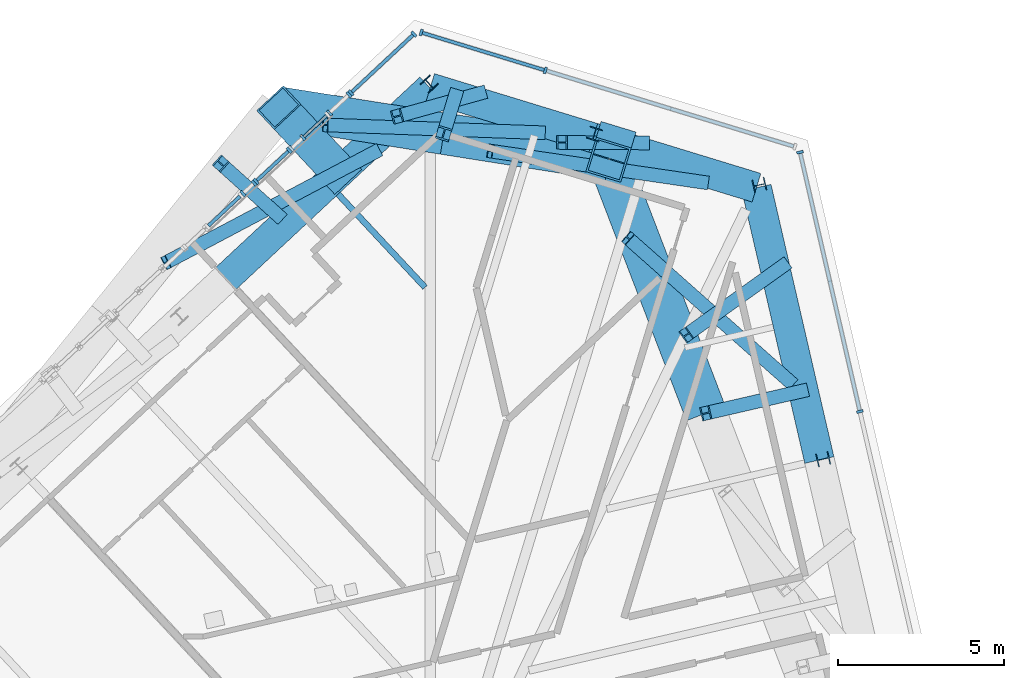
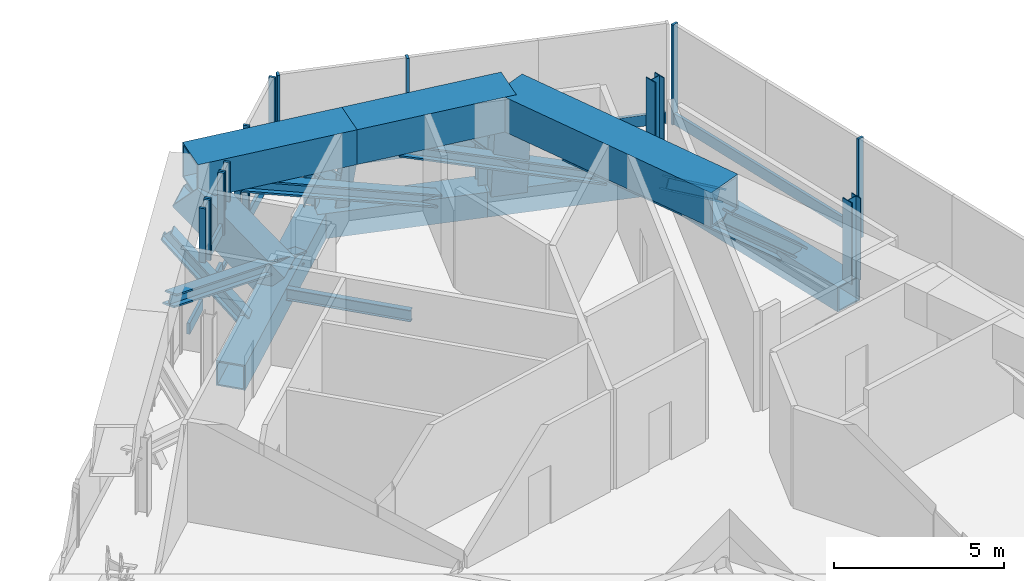
# One storey, part 9 of 31: 45 members, 1 beam, 10 elements without a shape of their own.
"""IFC4 building model written with IfcOpenShell, lengths in metres."""

from ifc_helpers import new_model, si_unit, direction, frame, origin, origin_2d, place, context, subcontext, project, spatial, rectangle, hollow_rectangle, i_section, extrude, source, transform, mapped, material, material_profile, profile_set, type_object, element, aggregate, save


model = new_model("IFC4")

# Units and contexts
model_context = context("Model", 3, precision=1e-05, world=origin(), true_north=direction((0.0, 1.0)))
body_context = subcontext(model_context, "Body", "Model", "MODEL_VIEW")
ifc_project = project(units=[si_unit("LENGTHUNIT", "METRE"), si_unit("AREAUNIT", "SQUARE_METRE"), si_unit("VOLUMEUNIT", "CUBIC_METRE"), si_unit("PLANEANGLEUNIT", "RADIAN"), si_unit("MASSUNIT", "GRAM", prefix="KILO")], contexts=[model_context])

# Site, building, storey
site_placement = place(None, origin())
site = spatial("IfcSite", under=ifc_project, at=site_placement, CompositionType="ELEMENT")
building_placement = place(site_placement, origin())
building = spatial("IfcBuilding", under=site, at=building_placement, Name="Triune Harvest Tower", CompositionType="ELEMENT")
storey_placement = place(building_placement, frame((0.0, 0.0, 134.300048828125)))
storey = spatial("IfcBuildingStorey", under=building, at=storey_placement, Name="L34", CompositionType="ELEMENT", Elevation=134.300048828125)

# Member
ifc_material_1 = material(Name="Steel ASTM A572 Gr 50", Category="steel")
ifc_material_profile_1 = material_profile(ifc_material_1, hollow_rectangle(XDim=1.25, YDim=1.25, WallThickness=0.070068359375, at=origin_2d()), Name="Box 1250x1250x70")
ifc_profile_set_1 = profile_set([ifc_material_profile_1], Name="Steel ASTM A572 Gr 50")
member_type_1 = type_object("IfcMemberType", Name="TC-1 Belt truss chord Box 1250x1250x70", PredefinedType="CHORD", material=ifc_profile_set_1)
member_1_placement = place(storey_placement, frame((4.8837890625, 30.8359375, 2.974853515625), z_axis=(-0.987693136522, 0.156404181743, 0.0), x_axis=(-0.156404181743, -0.987693136522, 0.0)))
element("IfcMember", 1, at=member_1_placement, inside=storey, type_object=member_type_1, Name="truss/L34/TCT8", PredefinedType="CHORD", context=body_context, shape_type="SweptSolid", body=[
    extrude(hollow_rectangle(XDim=1.25, YDim=1.25, WallThickness=0.070068359375, at=origin_2d()), origin(), (0.0, 0.0, 1.0), 5.024658203125),
])

# Curtain wall, member
ifc_material_2 = material(Name="Aluminium bronze anodised", Category="aluminium")
curtain_wall_type_1 = type_object("IfcCurtainWallType", Name="CW-5 Plant louvre wall", PredefinedType="NOTDEFINED", material=ifc_material_2)
curtain_wall_1_placement = place(storey_placement, origin())
curtain_wall_1 = element("IfcCurtainWall", 2, at=curtain_wall_1_placement, inside=storey, type_object=curtain_wall_type_1, Name="CW-5 B3-F3 L34 run 1")
ifc_material_3 = material(Name="Aluminium bronze anodised", Category="aluminium")
ifc_material_profile_2 = material_profile(ifc_material_3, rectangle(XDim=0.10009765625, YDim=0.39990234375, at=origin_2d()), Name="TR-5 transom 100 x 400")
ifc_profile_set_2 = profile_set([ifc_material_profile_2], Name="Aluminium bronze anodised")
member_type_2 = type_object("IfcMemberType", Name="TR-5 transom 100 x 400", PredefinedType="USERDEFINED", material=ifc_profile_set_2)
member_2_placement = place(storey_placement, frame((3.958251953125, 33.805419921875, 0.199951171875), z_axis=(-0.731372056439, -0.681978676397, 0.0), x_axis=(0.681978676397, -0.731372056439, 0.0)))
member_2 = element("IfcMember", 3, at=member_2_placement, type_object=member_type_2, Name="CW-5 transom B3-F3 1.1", ObjectType="TRANSOM", PredefinedType="USERDEFINED", context=body_context, shape_type="SweptSolid", body=[
    extrude(rectangle(XDim=0.10009765625, YDim=0.39990234375, at=origin_2d()), origin(), (0.0, 0.0, 1.0), 2.510986328125),
])

curtain_wall_2_placement = place(storey_placement, origin())
curtain_wall_2 = element("IfcCurtainWall", 4, at=curtain_wall_2_placement, inside=storey, type_object=curtain_wall_type_1, Name="CW-5 B3-F3 L34 run 701")
member_3_placement = place(storey_placement, frame((-1.24755859375, 28.950927734375, 0.199951171875), z_axis=(-0.731373725312, -0.681976886648, 0.0), x_axis=(0.681976886648, -0.731373725312, 0.0)))
member_3 = element("IfcMember", 5, at=member_3_placement, type_object=member_type_2, Name="CW-5 transom B3-F3 701.1", ObjectType="TRANSOM", PredefinedType="USERDEFINED", context=body_context, shape_type="SweptSolid", body=[
    extrude(rectangle(XDim=0.10009765625, YDim=0.39990234375, at=origin_2d()), origin(), (0.0, 0.0, 1.0), 1.2998046875),
])
aggregate(curtain_wall_2, [member_3])

ifc_material_4 = material(Name="Aluminium bronze anodised", Category="aluminium")
curtain_wall_type_2 = type_object("IfcCurtainWallType", Name="CW-6 Balcony window wall", PredefinedType="NOTDEFINED", material=ifc_material_4)
curtain_wall_3_placement = place(storey_placement, origin())
curtain_wall_3 = element("IfcCurtainWall", 6, at=curtain_wall_3_placement, inside=storey, type_object=curtain_wall_type_2, Name="CW-6 B3-F3 L34 run 1701")
ifc_material_5 = material(Name="Aluminium bronze anodised", Category="aluminium")
ifc_material_profile_3 = material_profile(ifc_material_5, rectangle(XDim=0.090087890625, YDim=0.14990234375, at=origin_2d()), Name="TR-6 transom 90 x 150")
ifc_profile_set_3 = profile_set([ifc_material_profile_3], Name="Aluminium bronze anodised")
member_type_3 = type_object("IfcMemberType", Name="TR-6 transom 90 x 150", PredefinedType="USERDEFINED", material=ifc_profile_set_3)
member_4_placement = place(storey_placement, frame((1.358642578125, 31.38134765625, 0.074951171875), z_axis=(-0.73130634169, -0.682049143834, 0.0), x_axis=(0.682049143834, -0.73130634169, 0.0)))
member_4 = element("IfcMember", 7, at=member_4_placement, type_object=member_type_3, Name="CW-6 transom B3-F3 1701.1", ObjectType="TRANSOM", PredefinedType="USERDEFINED", context=body_context, shape_type="SweptSolid", body=[
    extrude(rectangle(XDim=0.090087890625, YDim=0.14990234375, at=origin_2d()), origin(), (0.0, 0.0, 1.0), 1.422607421875),
])
aggregate(curtain_wall_3, [member_4])

# Members
ifc_material_6 = material(Name="Steel ASTM A992 Gr 50", Category="steel")
ifc_material_profile_4 = material_profile(ifc_material_6, i_section(OverallWidth=0.411376953125, OverallDepth=0.434326171875, WebThickness=0.035888671875, FlangeThickness=0.057373046875, at=origin_2d()), Name="W14x311")
ifc_profile_set_4 = profile_set([ifc_material_profile_4], Name="Steel ASTM A992 Gr 50")
member_type_4 = type_object("IfcMemberType", Name="TV-1 Belt truss strut W14x311", PredefinedType="STRUT", material=ifc_profile_set_4)
member_5_placement = place(storey_placement, frame((15.712890625, 23.095703125, -0.275146484375), z_axis=(-0.730475997052, -0.168664824463, 0.661783193138), x_axis=(0.224977841129, -0.974363880181, 0.0)))
element("IfcMember", 8, at=member_5_placement, inside=storey, type_object=member_type_4, Name="truss/L34/TS6", PredefinedType="STRUT", context=body_context, shape_type="SweptSolid", body=[
    extrude(i_section(OverallWidth=0.411376953125, OverallDepth=0.434326171875, WebThickness=0.035888671875, FlangeThickness=0.057373046875, at=origin_2d()), origin(), (0.0, 0.0, 1.0), 4.019775390625),
])
member_6_placement = place(storey_placement, frame((5.234130859375, 31.981201171875, -0.275146484375), z_axis=(-0.120089980059, -0.392572889518, 0.91184698448), x_axis=(0.956258157138, -0.292524079193, 0.0)))
element("IfcMember", 9, at=member_6_placement, inside=storey, type_object=member_type_4, Name="truss/L34/TS8", PredefinedType="STRUT", context=body_context, shape_type="SweptSolid", body=[
    extrude(i_section(OverallWidth=0.411376953125, OverallDepth=0.434326171875, WebThickness=0.035888671875, FlangeThickness=0.057373046875, at=origin_2d()), origin(), (0.0, 0.0, 1.0), 2.917236328125),
])

# Beam
ifc_material_7 = material(Name="Steel ASTM A992 Gr 50", Category="steel")
ifc_material_profile_5 = material_profile(ifc_material_7, i_section(OverallWidth=0.180908203125, OverallDepth=0.41650390625, WebThickness=0.010986328125, FlangeThickness=0.01806640625, at=origin_2d()), Name="W16x57")
ifc_profile_set_5 = profile_set([ifc_material_profile_5], Name="Steel ASTM A992 Gr 50")
beam_type = type_object("IfcBeamType", Name="JT-1 Floor joist W16x57", PredefinedType="JOIST", material=ifc_profile_set_5)
shared_shape_1 = source(origin(), body_context, "Body", "SweptSolid", [
    extrude(i_section(OverallWidth=0.180908203125, OverallDepth=0.41650390625, WebThickness=0.010986328125, FlangeThickness=0.01806640625, at=origin_2d()), origin(), (0.0, 0.0, 1.0), 3.83642578125),
])
beam_placement = place(storey_placement, frame((1.70703125, 29.014404296875, -0.458251953125), z_axis=(0.681984885049, -0.73136626704, 0.0), x_axis=(0.73136626704, 0.681984885049, 0.0)))
element("IfcBeam", 10, at=beam_placement, inside=storey, type_object=beam_type, Name="beam/L34/JT14", PredefinedType="JOIST", context=body_context, shape_type="MappedRepresentation", body=[
    mapped(shared_shape_1, transform((0.0, 0.0, 0.0), scale=1.0)),
])

# Members
ifc_material_8 = material(Name="Steel ASTM A992 Gr 50", Category="steel")
ifc_material_profile_6 = material_profile(ifc_material_8, i_section(OverallWidth=0.396240234375, OverallDepth=0.381103515625, WebThickness=0.01904296875, FlangeThickness=0.0302734375, at=origin_2d()), Name="W14x159")
ifc_profile_set_6 = profile_set([ifc_material_profile_6], Name="Steel ASTM A992 Gr 50")
member_type_5 = type_object("IfcMemberType", Name="WP-3 Roof edge post W14x159", PredefinedType="POST", material=ifc_profile_set_6)
shared_shape_2 = source(origin(), body_context, "Body", "SweptSolid", [
    extrude(i_section(OverallWidth=0.396240234375, OverallDepth=0.381103515625, WebThickness=0.01904296875, FlangeThickness=0.0302734375, at=origin_2d()), origin(), (0.0, 0.0, 1.0), 2.935546875),
])
for number, where, z_axis, x_axis, name in (
    (11, (16.311279296875, 21.037353515625, -0.25), (0.0, 0.0, 1.0), (-0.22495275494, 0.97436967217, 0.0), "post/L34/W5"),
    (12, (14.389404296875, 29.291015625, -0.25), (0.0, 0.0, 1.0), (-0.22495275494, 0.97436967217, 0.0), "post/L34/W6"),
    (13, (9.42431640625, 30.82568359375, -0.25), (0.0, 0.0, 1.0), (-0.956304755963, 0.292371704723, 0.0), "post/L34/W7"),
    (14, (4.4501953125, 32.32958984375, -0.25), (0.0, 0.0, 1.0), (-0.73135489193, -0.681997083608, 0.0), "post/L34/W8"),
):
    element("IfcMember", number, at=place(storey_placement, frame(where, z_axis=z_axis, x_axis=x_axis)), inside=storey, type_object=member_type_5, Name=name, PredefinedType="POST", context=body_context, shape_type="MappedRepresentation", body=[
        mapped(shared_shape_2, transform((0.0, 0.0, 0.0), scale=1.0)),
    ])
ifc_material_9 = material(Name="Steel ASTM A572 Gr 50", Category="steel")
ifc_material_profile_7 = material_profile(ifc_material_9, hollow_rectangle(XDim=0.89990234375, YDim=0.89990234375, WallThickness=0.050048828125, at=origin_2d()), Name="Box 900x900x50")
ifc_profile_set_7 = profile_set([ifc_material_profile_7], Name="Steel ASTM A572 Gr 50")
member_type_6 = type_object("IfcMemberType", Name="TC-2 Belt truss chord Box 900x900x50", PredefinedType="CHORD", material=ifc_profile_set_7)
shared_shape_3 = source(origin(), body_context, "Body", "SweptSolid", [
    extrude(hollow_rectangle(XDim=0.89990234375, YDim=0.89990234375, WallThickness=0.050048828125, at=origin_2d()), origin(), (0.0, 0.0, 1.0), 8.414306640625),
])
for number, where, z_axis, x_axis, name in (
    (15, (16.1943359375, 21.01025390625, -0.699951171875), (-0.224950624774, 0.974370163959, 0.0), (-0.974370163959, -0.224950624774, 0.0), "truss/L34/TCB6"),
    (16, (4.47705078125, 32.212646484375, -0.699951171875), (-0.731353343594, -0.681998743997, 0.0), (0.681998743997, -0.731353343594, 0.0), "truss/L34/TCB9"),
):
    element("IfcMember", number, at=place(storey_placement, frame(where, z_axis=z_axis, x_axis=x_axis)), inside=storey, type_object=member_type_6, Name=name, PredefinedType="CHORD", context=body_context, shape_type="MappedRepresentation", body=[
        mapped(shared_shape_3, transform((0.0, 0.0, 0.0), scale=1.0)),
    ])
shared_shape_4 = source(origin(), body_context, "Body", "SweptSolid", [
    extrude(hollow_rectangle(XDim=0.89990234375, YDim=0.89990234375, WallThickness=0.050048828125, at=origin_2d()), origin(), (0.0, 0.0, 1.0), 5.13671875),
])
for number, where, z_axis, x_axis, name in (
    (17, (14.301513671875, 29.208984375, -0.699951171875), (-0.956295470528, 0.292402074289, 0.0), (-0.292402074289, -0.956295470528, 0.0), "truss/L34/TCB7"),
    (18, (9.389404296875, 30.7109375, -0.699951171875), (-0.956312822385, 0.292345319343, 0.0), (-0.292345319343, -0.956312822385, 0.0), "truss/L34/TCB8"),
):
    element("IfcMember", number, at=place(storey_placement, frame(where, z_axis=z_axis, x_axis=x_axis)), inside=storey, type_object=member_type_6, Name=name, PredefinedType="CHORD", context=body_context, shape_type="MappedRepresentation", body=[
        mapped(shared_shape_4, transform((0.0, 0.0, 0.0), scale=1.0)),
    ])
shared_shape_5 = source(origin(), body_context, "Body", "SweptSolid", [
    extrude(hollow_rectangle(XDim=1.25, YDim=1.25, WallThickness=0.070068359375, at=origin_2d()), origin(), (0.0, 0.0, 1.0), 8.175048828125),
])
member_7_placement = place(storey_placement, frame((12.776611328125, 22.417724609375, 2.974853515625), z_axis=(-0.358368636722, 0.933580162714, 0.0), x_axis=(-0.933580162714, -0.358368636722, 0.0)))
element("IfcMember", 19, at=member_7_placement, inside=storey, type_object=member_type_1, Name="truss/L34/TCT6", PredefinedType="CHORD", context=body_context, shape_type="MappedRepresentation", body=[
    mapped(shared_shape_5, transform((0.0, 0.0, 0.0), scale=1.0)),
])
shared_shape_6 = source(origin(), body_context, "Body", "SweptSolid", [
    extrude(hollow_rectangle(XDim=1.25, YDim=1.25, WallThickness=0.070068359375, at=origin_2d()), origin(), (0.0, 0.0, 1.0), 5.02490234375),
])
member_8_placement = place(storey_placement, frame((9.846923828125, 30.0498046875, 2.974853515625), z_axis=(-0.987686818822, 0.156444072832, 0.0), x_axis=(-0.156444072832, -0.987686818822, 0.0)))
element("IfcMember", 20, at=member_8_placement, inside=storey, type_object=member_type_1, Name="truss/L34/TCT7", PredefinedType="CHORD", context=body_context, shape_type="MappedRepresentation", body=[
    mapped(shared_shape_6, transform((0.0, 0.0, 0.0), scale=1.0)),
])
ifc_material_10 = material(Name="Steel ASTM A572 Gr 50", Category="steel")
ifc_material_profile_8 = material_profile(ifc_material_10, hollow_rectangle(XDim=1.10009765625, YDim=1.10009765625, WallThickness=0.06005859375, at=origin_2d()), Name="Box 1100x1100x60")
ifc_profile_set_8 = profile_set([ifc_material_profile_8], Name="Steel ASTM A572 Gr 50")
member_type_7 = type_object("IfcMemberType", Name="TS-1 Belt truss raked strut Box 1100x1100x60", PredefinedType="STRUT", material=ifc_profile_set_8)
shared_shape_7 = source(origin(), body_context, "Body", "SweptSolid", [
    extrude(hollow_rectangle(XDim=1.10009765625, YDim=1.10009765625, WallThickness=0.06005859375, at=origin_2d()), origin(), (0.0, 0.0, 1.0), 3.772705078125),
])
member_9_placement = place(storey_placement, frame((1.745361328125, 29.665283203125, -0.275146484375), z_axis=(-0.483597917416, 0.518607481624, 0.705109448437), x_axis=(-0.731361708393, -0.681989773748, 0.0)))
element("IfcMember", 21, at=member_9_placement, inside=storey, type_object=member_type_7, Name="truss/L34/TS9", PredefinedType="STRUT", context=body_context, shape_type="MappedRepresentation", body=[
    mapped(shared_shape_7, transform((0.0, 0.0, 0.0), scale=1.0)),
])
shared_shape_8 = source(origin(), body_context, "Body", "SweptSolid", [
    extrude(hollow_rectangle(XDim=1.10009765625, YDim=1.10009765625, WallThickness=0.06005859375, at=origin_2d()), origin(), (0.0, 0.0, 1.0), 2.70654296875),
])
member_10_placement = place(storey_placement, frame((9.99267578125, 30.5263671875, -0.275146484375), z_axis=(-0.05385386673, -0.176085004786, 0.982900723434), x_axis=(0.956275478706, -0.292467449174, 0.0)))
element("IfcMember", 22, at=member_10_placement, inside=storey, type_object=member_type_7, Name="truss/L34/TS7", PredefinedType="STRUT", context=body_context, shape_type="MappedRepresentation", body=[
    mapped(shared_shape_8, transform((0.0, 0.0, 0.0), scale=1.0)),
])
ifc_material_11 = material(Name="Steel ASTM A992 Gr 50", Category="steel")
ifc_material_profile_9 = material_profile(ifc_material_11, i_section(OverallWidth=0.411376953125, OverallDepth=0.434326171875, WebThickness=0.035888671875, FlangeThickness=0.057373046875, at=origin_2d()), Name="W14x311")
ifc_profile_set_9 = profile_set([ifc_material_profile_9], Name="Steel ASTM A992 Gr 50")
member_type_8 = type_object("IfcMemberType", Name="TD-2 Belt truss diagonal W14x311", PredefinedType="BRACE", material=ifc_profile_set_9)
shared_shape_9 = source(origin(), body_context, "Body", "SweptSolid", [
    extrude(i_section(OverallWidth=0.411376953125, OverallDepth=0.434326171875, WebThickness=0.035888671875, FlangeThickness=0.057373046875, at=origin_2d()), origin(), (0.0, 0.0, 1.0), 3.58203125),
])
member_11_placement = place(storey_placement, frame((-0.087646484375, 28.3662109375, -0.324951171875), z_axis=(-0.485602658146, 0.438030636338, 0.756517825323), x_axis=(-0.66979919288, -0.742542282444, 0.0)))
element("IfcMember", 23, at=member_11_placement, inside=storey, type_object=member_type_8, Name="truss/L34/TD18", PredefinedType="BRACE", context=body_context, shape_type="MappedRepresentation", body=[
    mapped(shared_shape_9, transform((0.0, 0.0, 0.0), scale=1.0)),
])
shared_shape_10 = source(origin(), body_context, "Body", "SweptSolid", [
    extrude(i_section(OverallWidth=0.411376953125, OverallDepth=0.434326171875, WebThickness=0.035888671875, FlangeThickness=0.057373046875, at=origin_2d()), origin(), (0.0, 0.0, 1.0), 7.1083984375),
])
member_12_placement = place(storey_placement, frame((15.350341796875, 23.33251953125, -0.324951171875), z_axis=(-0.691684916953, 0.613377075915, 0.381235541893), x_axis=(-0.663484815978, -0.748189747969, 0.0)))
element("IfcMember", 24, at=member_12_placement, inside=storey, type_object=member_type_8, Name="truss/L34/TD11", PredefinedType="BRACE", context=body_context, shape_type="MappedRepresentation", body=[
    mapped(shared_shape_10, transform((0.0, 0.0, 0.0), scale=1.0)),
])
shared_shape_11 = source(origin(), body_context, "Body", "SweptSolid", [
    extrude(i_section(OverallWidth=0.411376953125, OverallDepth=0.434326171875, WebThickness=0.035888671875, FlangeThickness=0.057373046875, at=origin_2d()), origin(), (0.0, 0.0, 1.0), 4.531982421875),
])
member_13_placement = place(storey_placement, frame((15.1455078125, 26.886962890625, -0.324951171875), z_axis=(-0.652107567248, -0.466037386556, 0.597967285952), x_axis=(0.581441624808, -0.813588124877, 0.0)))
element("IfcMember", 25, at=member_13_placement, inside=storey, type_object=member_type_8, Name="truss/L34/TD12", PredefinedType="BRACE", context=body_context, shape_type="MappedRepresentation", body=[
    mapped(shared_shape_11, transform((0.0, 0.0, 0.0), scale=1.0)),
])
shared_shape_12 = source(origin(), body_context, "Body", "SweptSolid", [
    extrude(i_section(OverallWidth=0.411376953125, OverallDepth=0.434326171875, WebThickness=0.035888671875, FlangeThickness=0.057373046875, at=origin_2d()), origin(), (0.0, 0.0, 1.0), 7.09423828125),
])
member_14_placement = place(storey_placement, frame((12.772216796875, 29.363037109375, -0.324951171875), z_axis=(-0.914408037768, 0.133938356968, 0.381992744693), x_axis=(-0.144929001047, -0.98944205725, 0.0)))
element("IfcMember", 26, at=member_14_placement, inside=storey, type_object=member_type_8, Name="truss/L34/TD13", PredefinedType="BRACE", context=body_context, shape_type="MappedRepresentation", body=[
    mapped(shared_shape_12, transform((0.0, 0.0, 0.0), scale=1.0)),
])
shared_shape_13 = source(origin(), body_context, "Body", "SweptSolid", [
    extrude(i_section(OverallWidth=0.411376953125, OverallDepth=0.434326171875, WebThickness=0.035888671875, FlangeThickness=0.057373046875, at=origin_2d()), origin(), (0.0, 0.0, 1.0), 3.668701171875),
])
member_15_placement = place(storey_placement, frame((10.918701171875, 30.556884765625, -0.324951171875), z_axis=(-0.674053358659, 0.00425900039, 0.738670380207), x_axis=(-0.006318365336, -0.999980038931, 0.0)))
element("IfcMember", 27, at=member_15_placement, inside=storey, type_object=member_type_8, Name="truss/L34/TD14", PredefinedType="BRACE", context=body_context, shape_type="MappedRepresentation", body=[
    mapped(shared_shape_13, transform((0.0, 0.0, 0.0), scale=1.0)),
])
shared_shape_14 = source(origin(), body_context, "Body", "SweptSolid", [
    extrude(i_section(OverallWidth=0.411376953125, OverallDepth=0.434326171875, WebThickness=0.035888671875, FlangeThickness=0.057373046875, at=origin_2d()), origin(), (0.0, 0.0, 1.0), 7.081298828125),
])
member_16_placement = place(storey_placement, frame((7.860107421875, 30.86474609375, -0.324951171875), z_axis=(-0.923283614514, 0.033097545554, 0.382690370467), x_axis=(-0.035824636595, -0.999358091683, 0.0)))
element("IfcMember", 28, at=member_16_placement, inside=storey, type_object=member_type_8, Name="truss/L34/TD15", PredefinedType="BRACE", context=body_context, shape_type="MappedRepresentation", body=[
    mapped(shared_shape_14, transform((0.0, 0.0, 0.0), scale=1.0)),
])
shared_shape_15 = source(origin(), body_context, "Body", "SweptSolid", [
    extrude(i_section(OverallWidth=0.411376953125, OverallDepth=0.434326171875, WebThickness=0.035888671875, FlangeThickness=0.057373046875, at=origin_2d()), origin(), (0.0, 0.0, 1.0), 3.768798828125),
])
member_17_placement = place(storey_placement, frame((6.00634765625, 32.058837890625, -0.324951171875), z_axis=(-0.669641754017, -0.185792062544, 0.719069698132), x_axis=(0.267350573792, -0.963599330994, 0.0)))
element("IfcMember", 29, at=member_17_placement, inside=storey, type_object=member_type_8, Name="truss/L34/TD16", PredefinedType="BRACE", context=body_context, shape_type="MappedRepresentation", body=[
    mapped(shared_shape_15, transform((0.0, 0.0, 0.0), scale=1.0)),
])
shared_shape_16 = source(origin(), body_context, "Body", "SweptSolid", [
    extrude(i_section(OverallWidth=0.411376953125, OverallDepth=0.434326171875, WebThickness=0.035888671875, FlangeThickness=0.057373046875, at=origin_2d()), origin(), (0.0, 0.0, 1.0), 7.692138671875),
])
member_18_placement = place(storey_placement, frame((2.887939453125, 30.32080078125, -0.324951171875), z_axis=(-0.82731591294, -0.437525890427, 0.352305940061), x_axis=(0.467499684827, -0.883993237919, 0.0)))
element("IfcMember", 30, at=member_18_placement, inside=storey, type_object=member_type_8, Name="truss/L34/TD17", PredefinedType="BRACE", context=body_context, shape_type="MappedRepresentation", body=[
    mapped(shared_shape_16, transform((0.0, 0.0, 0.0), scale=1.0)),
])

# Curtain wall, members
curtain_wall_4_placement = place(storey_placement, origin())
curtain_wall_4 = element("IfcCurtainWall", 31, at=curtain_wall_4_placement, inside=storey, type_object=curtain_wall_type_1, Name="CW-5 B3-F1 L34 run 1601")
ifc_material_12 = material(Name="Aluminium bronze anodised", Category="aluminium")
ifc_material_profile_10 = material_profile(ifc_material_12, rectangle(XDim=0.199951171875, YDim=0.080078125, at=origin_2d()), Name="MU-5 mullion 80 x 200")
ifc_profile_set_10 = profile_set([ifc_material_profile_10], Name="Aluminium bronze anodised")
member_type_9 = type_object("IfcMemberType", Name="MU-5 mullion 80 x 200", PredefinedType="MULLION", material=ifc_profile_set_10)
shared_shape_17 = source(origin(), body_context, "Body", "SweptSolid", [
    extrude(rectangle(XDim=0.199951171875, YDim=0.080078125, at=origin_2d()), origin(), (0.0, 0.0, 1.0), 3.599853515625),
])
member_19_placement = place(storey_placement, frame((17.415771484375, 22.470947265625, 0.0), z_axis=(0.0, 0.0, 1.0), x_axis=(-0.974370000314, -0.224951333599, 0.0)))
member_19 = element("IfcMember", 32, at=member_19_placement, type_object=member_type_9, Name="CW-5 mullion B3-F1 1601.7", PredefinedType="MULLION", context=body_context, shape_type="MappedRepresentation", body=[
    mapped(shared_shape_17, transform((0.0, 0.0, 0.0), scale=1.0)),
])
member_20_placement = place(storey_placement, frame((15.61328125, 30.2783203125, 0.0), z_axis=(0.0, 0.0, 1.0), x_axis=(-0.974370000314, -0.224951333599, 0.0)))
member_20 = element("IfcMember", 33, at=member_20_placement, type_object=member_type_9, Name="CW-5 mullion B3-F1 1601.9", PredefinedType="MULLION", context=body_context, shape_type="MappedRepresentation", body=[
    mapped(shared_shape_17, transform((0.0, 0.0, 0.0), scale=1.0)),
])

curtain_wall_5_placement = place(storey_placement, origin())
curtain_wall_5 = element("IfcCurtainWall", 34, at=curtain_wall_5_placement, inside=storey, type_object=curtain_wall_type_1, Name="CW-5 B3-F2 L34 run 1")
member_21_placement = place(storey_placement, frame((7.945068359375, 32.740478515625, 0.0), z_axis=(0.0, 0.0, 1.0), x_axis=(-0.292376962095, -0.956303148607, 0.0)))
member_21 = element("IfcMember", 35, at=member_21_placement, type_object=member_type_9, Name="CW-5 mullion B3-F2 1.3", PredefinedType="MULLION", context=body_context, shape_type="MappedRepresentation", body=[
    mapped(shared_shape_17, transform((0.0, 0.0, 0.0), scale=1.0)),
])
member_22_placement = place(storey_placement, frame((4.20703125, 33.88330078125, 0.0), z_axis=(0.0, 0.0, 1.0), x_axis=(-0.292376962095, -0.956303148607, 0.0)))
member_22 = element("IfcMember", 36, at=member_22_placement, type_object=member_type_9, Name="CW-5 mullion B3-F2 1.4", PredefinedType="MULLION", context=body_context, shape_type="MappedRepresentation", body=[
    mapped(shared_shape_17, transform((0.0, 0.0, 0.0), scale=1.0)),
])

# Member
member_23_placement = place(storey_placement, frame((3.987548828125, 33.832763671875, 0.0), z_axis=(0.0, 0.0, 1.0), x_axis=(0.681983346393, -0.731367701804, 0.0)))
member_23 = element("IfcMember", 37, at=member_23_placement, type_object=member_type_9, Name="CW-5 mullion B3-F3 1.1", PredefinedType="MULLION", context=body_context, shape_type="MappedRepresentation", body=[
    mapped(shared_shape_17, transform((0.0, 0.0, 0.0), scale=1.0)),
])

member_24_placement = place(storey_placement, frame((2.0927734375, 32.065673828125, 0.0), z_axis=(0.0, 0.0, 1.0), x_axis=(0.681983346393, -0.731367701804, 0.0)))
member_24 = element("IfcMember", 38, at=member_24_placement, type_object=member_type_9, Name="CW-5 mullion B3-F3 1.2", PredefinedType="MULLION", context=body_context, shape_type="MappedRepresentation", body=[
    mapped(shared_shape_17, transform((0.0, 0.0, 0.0), scale=1.0)),
])

aggregate(curtain_wall_1, [member_23, member_24, member_2])

# Curtain wall, members
curtain_wall_6_placement = place(storey_placement, origin())
curtain_wall_6 = element("IfcCurtainWall", 39, at=curtain_wall_6_placement, inside=storey, type_object=curtain_wall_type_1, Name="CW-5 B3-F3 L34 run 101")
shared_shape_18 = source(origin(), body_context, "Body", "SweptSolid", [
    extrude(rectangle(XDim=0.199951171875, YDim=0.080078125, at=origin_2d()), origin(), (0.0, 0.0, 1.0), 2.022705078125),
])
member_25_placement = place(storey_placement, frame((2.0341796875, 32.01123046875, 0.0), z_axis=(0.0, 0.0, 1.0), x_axis=(0.682029480263, -0.731324680325, 0.0)))
member_25 = element("IfcMember", 40, at=member_25_placement, type_object=member_type_9, Name="CW-5 mullion B3-F3 101.1", PredefinedType="MULLION", context=body_context, shape_type="MappedRepresentation", body=[
    mapped(shared_shape_18, transform((0.0, 0.0, 0.0), scale=1.0)),
])
member_26_placement = place(storey_placement, frame((1.44287109375, 31.459716796875, 0.0), z_axis=(0.0, 0.0, 1.0), x_axis=(0.682029480263, -0.731324680325, 0.0)))
member_26 = element("IfcMember", 41, at=member_26_placement, type_object=member_type_9, Name="CW-5 mullion B3-F3 101.2", PredefinedType="MULLION", context=body_context, shape_type="MappedRepresentation", body=[
    mapped(shared_shape_18, transform((0.0, 0.0, 0.0), scale=1.0)),
])
aggregate(curtain_wall_6, [member_25, member_26])

curtain_wall_7_placement = place(storey_placement, origin())
curtain_wall_7 = element("IfcCurtainWall", 42, at=curtain_wall_7_placement, inside=storey, type_object=curtain_wall_type_1, Name="CW-5 B3-F3 L34 run 201")
shared_shape_19 = source(origin(), body_context, "Body", "SweptSolid", [
    extrude(rectangle(XDim=0.199951171875, YDim=0.080078125, at=origin_2d()), origin(), (0.0, 0.0, 1.0), 1.4052734375),
])
member_27_placement = place(storey_placement, frame((0.6484375, 30.718994140625, 2.194580078125), z_axis=(0.0, 0.0, 1.0), x_axis=(0.682041341397, -0.731313618515, 0.0)))
member_27 = element("IfcMember", 43, at=member_27_placement, type_object=member_type_9, Name="CW-5 mullion B3-F3 201.1", PredefinedType="MULLION", context=body_context, shape_type="MappedRepresentation", body=[
    mapped(shared_shape_19, transform((0.0, 0.0, 0.0), scale=1.0)),
])
member_28_placement = place(storey_placement, frame((0.292724609375, 30.38720703125, 2.194580078125), z_axis=(0.0, 0.0, 1.0), x_axis=(0.682041341397, -0.731313618515, 0.0)))
member_28 = element("IfcMember", 44, at=member_28_placement, type_object=member_type_9, Name="CW-5 mullion B3-F3 201.2", PredefinedType="MULLION", context=body_context, shape_type="MappedRepresentation", body=[
    mapped(shared_shape_19, transform((0.0, 0.0, 0.0), scale=1.0)),
])
aggregate(curtain_wall_7, [member_27, member_28])

# Member
shared_shape_20 = source(origin(), body_context, "Body", "SweptSolid", [
    extrude(rectangle(XDim=0.10009765625, YDim=0.39990234375, at=origin_2d()), origin(), (0.0, 0.0, 1.0), 7.9326171875),
])
member_29_placement = place(storey_placement, frame((17.40673828125, 22.510009765625, 0.199951171875), z_axis=(-0.224949416208, 0.974370442977, 0.0), x_axis=(-0.974370442977, -0.224949416208, 0.0)))
member_29 = element("IfcMember", 45, at=member_29_placement, type_object=member_type_2, Name="CW-5 transom B3-F1 1601.4", ObjectType="TRANSOM", PredefinedType="USERDEFINED", context=body_context, shape_type="MappedRepresentation", body=[
    mapped(shared_shape_20, transform((0.0, 0.0, 0.0), scale=1.0)),
])

aggregate(curtain_wall_4, [member_19, member_20, member_29])

shared_shape_21 = source(origin(), body_context, "Body", "SweptSolid", [
    extrude(rectangle(XDim=0.10009765625, YDim=0.39990234375, at=origin_2d()), origin(), (0.0, 0.0, 1.0), 7.77783203125),
])
member_30_placement = place(storey_placement, frame((15.42138671875, 30.45458984375, 0.199951171875), z_axis=(-0.956299410538, 0.292389188248, 0.0), x_axis=(-0.292389188248, -0.956299410538, 0.0)))
member_30 = element("IfcMember", 46, at=member_30_placement, type_object=member_type_2, Name="CW-5 transom B3-F2 1.1", ObjectType="TRANSOM", PredefinedType="USERDEFINED", context=body_context, shape_type="MappedRepresentation", body=[
    mapped(shared_shape_21, transform((0.0, 0.0, 0.0), scale=1.0)),
])

shared_shape_22 = source(origin(), body_context, "Body", "SweptSolid", [
    extrude(rectangle(XDim=0.10009765625, YDim=0.39990234375, at=origin_2d()), origin(), (0.0, 0.0, 1.0), 3.828857421875),
])
member_31_placement = place(storey_placement, frame((7.90673828125, 32.752197265625, 0.199951171875), z_axis=(-0.956310973375, 0.292351367711, 0.0), x_axis=(-0.292351367711, -0.956310973375, 0.0)))
member_31 = element("IfcMember", 47, at=member_31_placement, type_object=member_type_2, Name="CW-5 transom B3-F2 1.2", ObjectType="TRANSOM", PredefinedType="USERDEFINED", context=body_context, shape_type="MappedRepresentation", body=[
    mapped(shared_shape_22, transform((0.0, 0.0, 0.0), scale=1.0)),
])

aggregate(curtain_wall_5, [member_21, member_22, member_30, member_31])

# Curtain wall, member
curtain_wall_8_placement = place(storey_placement, origin())
curtain_wall_8 = element("IfcCurtainWall", 48, at=curtain_wall_8_placement, inside=storey, type_object=curtain_wall_type_1, Name="CW-5 B3-F3 L34 run 301")
shared_shape_23 = source(origin(), body_context, "Body", "SweptSolid", [
    extrude(rectangle(XDim=0.10009765625, YDim=0.39990234375, at=origin_2d()), origin(), (0.0, 0.0, 1.0), 1.28662109375),
])
member_32_placement = place(storey_placement, frame((0.205078125, 30.305419921875, 0.199951171875), z_axis=(-0.73143372711, -0.681912533134, 0.0), x_axis=(0.681912533134, -0.73143372711, 0.0)))
member_32 = element("IfcMember", 49, at=member_32_placement, type_object=member_type_2, Name="CW-5 transom B3-F3 301.1", ObjectType="TRANSOM", PredefinedType="USERDEFINED", context=body_context, shape_type="MappedRepresentation", body=[
    mapped(shared_shape_23, transform((0.0, 0.0, 0.0), scale=1.0)),
])
aggregate(curtain_wall_8, [member_32])

# Curtain wall, members
curtain_wall_9_placement = place(storey_placement, origin())
curtain_wall_9 = element("IfcCurtainWall", 50, at=curtain_wall_9_placement, inside=storey, type_object=curtain_wall_type_1, Name="CW-5 B3-F3 L34 run 401")
member_33_placement = place(storey_placement, frame((0.205078125, 30.305419921875, 1.571533203125), z_axis=(-0.73143372711, -0.681912533134, 0.0), x_axis=(0.681912533134, -0.73143372711, 0.0)))
member_33 = element("IfcMember", 51, at=member_33_placement, type_object=member_type_2, Name="CW-5 transom B3-F3 401.1", ObjectType="TRANSOM", PredefinedType="USERDEFINED", context=body_context, shape_type="MappedRepresentation", body=[
    mapped(shared_shape_23, transform((0.0, 0.0, 0.0), scale=1.0)),
])
shared_shape_24 = source(origin(), body_context, "Body", "SweptSolid", [
    extrude(rectangle(XDim=0.199951171875, YDim=0.080078125, at=origin_2d()), origin(), (0.0, 0.0, 1.0), 2.228271484375),
])
member_34_placement = place(storey_placement, frame((0.234130859375, 30.332763671875, 1.37158203125), z_axis=(0.0, 0.0, 1.0), x_axis=(0.682000499676, -0.731351706392, 0.0)))
member_34 = element("IfcMember", 52, at=member_34_placement, type_object=member_type_9, Name="CW-5 mullion B3-F3 401.1", PredefinedType="MULLION", context=body_context, shape_type="MappedRepresentation", body=[
    mapped(shared_shape_24, transform((0.0, 0.0, 0.0), scale=1.0)),
])
member_35_placement = place(storey_placement, frame((-0.765380859375, 29.400634765625, 1.37158203125), z_axis=(0.0, 0.0, 1.0), x_axis=(0.682000499676, -0.731351706392, 0.0)))
member_35 = element("IfcMember", 53, at=member_35_placement, type_object=member_type_9, Name="CW-5 mullion B3-F3 401.2", PredefinedType="MULLION", context=body_context, shape_type="MappedRepresentation", body=[
    mapped(shared_shape_24, transform((0.0, 0.0, 0.0), scale=1.0)),
])
aggregate(curtain_wall_9, [member_34, member_35, member_33])

curtain_wall_10_placement = place(storey_placement, origin())
curtain_wall_10 = element("IfcCurtainWall", 54, at=curtain_wall_10_placement, inside=storey, type_object=curtain_wall_type_1, Name="CW-5 B3-F3 L34 run 601")
shared_shape_25 = source(origin(), body_context, "Body", "SweptSolid", [
    extrude(rectangle(XDim=0.199951171875, YDim=0.080078125, at=origin_2d()), origin(), (0.0, 0.0, 1.0), 1.9443359375),
])
member_36_placement = place(storey_placement, frame((-0.823974609375, 29.345947265625, 1.655517578125), z_axis=(0.0, 0.0, 1.0), x_axis=(0.681921796066, -0.731425091209, 0.0)))
member_36 = element("IfcMember", 55, at=member_36_placement, type_object=member_type_9, Name="CW-5 mullion B3-F3 601.1", PredefinedType="MULLION", context=body_context, shape_type="MappedRepresentation", body=[
    mapped(shared_shape_25, transform((0.0, 0.0, 0.0), scale=1.0)),
])
member_37_placement = place(storey_placement, frame((-1.159912109375, 29.03271484375, 1.655517578125), z_axis=(0.0, 0.0, 1.0), x_axis=(0.681921796066, -0.731425091209, 0.0)))
member_37 = element("IfcMember", 56, at=member_37_placement, type_object=member_type_9, Name="CW-5 mullion B3-F3 601.2", PredefinedType="MULLION", context=body_context, shape_type="MappedRepresentation", body=[
    mapped(shared_shape_25, transform((0.0, 0.0, 0.0), scale=1.0)),
])
aggregate(curtain_wall_10, [member_36, member_37])

save(model, "model.ifc")
